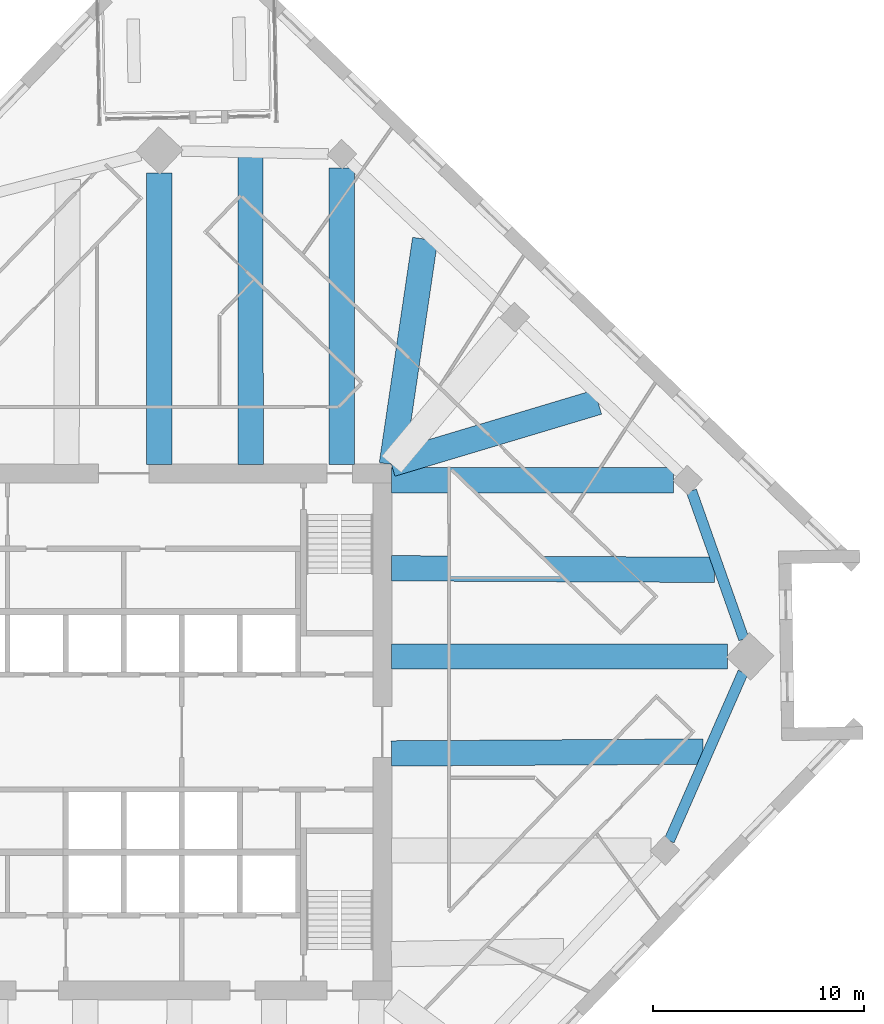
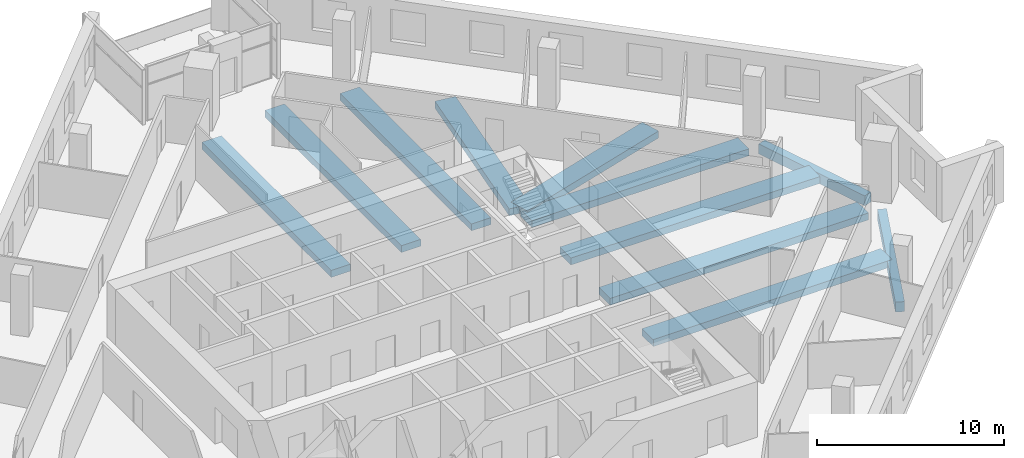
# One storey, part 3 of 13: 11 beams.
"""IFC4 building model written with IfcOpenShell, lengths in metres."""

import ifcopenshell
import ifcopenshell.guid

model = None  # the IFC model being written
_history = None  # IfcOwnerHistory: only IFC2X3 demands one
_inside = {}  # id of a spatial element -> (the spatial element, [elements in it])
_under = {}  # id of a project, library or spatial element -> (it, [spatial elements below it])
_declared = {}  # id of a project -> (the project, [libraries it declares])
_typed = {}  # id of a type object -> (the type object, [elements of that type])
_made_of = {}  # id of a material, layer set ... -> (it, [elements and type objects made of it])


def new_model(schema):
    """Start an empty IFC model of exactly this schema.

    Asked for "IFC4X3", IfcOpenShell would pick the latest addendum, in which some entities
    have other attributes; the version numbers below select the first issue.
    IFC2X3 requires an IfcOwnerHistory on every rooted entity: one is made here for all.
    """
    global model, _history
    if schema == "IFC4X3":
        model = ifcopenshell.file(schema_version=(4, 3, 0, 0))
    else:
        model = ifcopenshell.file(schema=schema)
    _inside.clear()
    _under.clear()
    _declared.clear()
    _typed.clear()
    _made_of.clear()
    _history = None
    if model.schema == "IFC2X3":
        org = make("IfcOrganization", Name="unknown")
        user = make(
            "IfcPersonAndOrganization",
            ThePerson=make("IfcPerson", FamilyName="unknown"),
            TheOrganization=org,
        )
        app = make(
            "IfcApplication",
            ApplicationDeveloper=org,
            Version="unknown",
            ApplicationFullName="unknown",
            ApplicationIdentifier="unknown",
        )
        _history = make(
            "IfcOwnerHistory",
            OwningUser=user,
            OwningApplication=app,
            ChangeAction="ADDED",
            CreationDate=0,
        )
    return model


def make(cls, **values):
    """One entity of the class cls with the attributes given. An attribute that is None is left unset."""
    return model.create_entity(
        cls, **{name: value for name, value in values.items() if value is not None}
    )


def rooted(cls, **values):
    """An entity with a GlobalId (a new one), such as an element, a storey or a relation."""
    return make(cls, GlobalId=ifcopenshell.guid.new(), OwnerHistory=_history, **values)


def si_unit(unit_type, name, prefix=None):
    """IfcSIUnit, for example si_unit("LENGTHUNIT", "METRE", prefix="MILLI")."""
    return make("IfcSIUnit", UnitType=unit_type, Prefix=prefix, Name=name)


def assignment(units):
    """IfcUnitAssignment: the units of a project."""
    return None if units is None else make("IfcUnitAssignment", Units=units)


def point(xyz):
    """IfcCartesianPoint."""
    return None if xyz is None else make("IfcCartesianPoint", Coordinates=xyz)


def direction(xyz):
    """IfcDirection."""
    return None if xyz is None else make("IfcDirection", DirectionRatios=xyz)


def frame(location, z_axis=None, x_axis=None):
    """IfcAxis2Placement3D, a coordinate frame: its origin and axes. An axis left out is left unset."""
    return make(
        "IfcAxis2Placement3D",
        Location=point(location),
        Axis=direction(z_axis),
        RefDirection=direction(x_axis),
    )


def frame_2d(location, x_axis=None):
    """IfcAxis2Placement2D, a coordinate frame in the plane: its origin and x axis."""
    return make(
        "IfcAxis2Placement2D", Location=point(location), RefDirection=direction(x_axis)
    )


def origin():
    """The frame at (0, 0, 0) with its axes left unset."""
    return frame((0.0, 0.0, 0.0))


def origin_2d():
    """The frame at (0, 0) in the plane with its x axis left unset."""
    return frame_2d((0.0, 0.0))


def place(relative_to, where):
    """IfcLocalPlacement: puts the frame where relative to a parent placement (None: the world)."""
    return make(
        "IfcLocalPlacement", PlacementRelTo=relative_to, RelativePlacement=where
    )


def context(
    kind, dimensions, precision=None, world=None, true_north=None, identifier=None
):
    """IfcGeometricRepresentationContext, for example the 3D "Model" context."""
    return make(
        "IfcGeometricRepresentationContext",
        ContextIdentifier=identifier,
        ContextType=kind,
        CoordinateSpaceDimension=dimensions,
        Precision=precision,
        WorldCoordinateSystem=world,
        TrueNorth=true_north,
    )


def subcontext(parent, identifier, kind, view, scale=None):
    """IfcGeometricRepresentationSubContext, for example "Body" below "Model"."""
    return make(
        "IfcGeometricRepresentationSubContext",
        ContextIdentifier=identifier,
        ContextType=kind,
        ParentContext=parent,
        TargetScale=scale,
        TargetView=view,
    )


def project(units=None, contexts=None):
    """IfcProject with its units and contexts."""
    return rooted(
        "IfcProject",
        Name="project",
        RepresentationContexts=contexts,
        UnitsInContext=assignment(units),
    )


def spatial(cls, under=None, at=None, **own):
    """A site, building, storey or space (cls), placed at a placement, below another one or the project."""
    s = rooted(cls, ObjectPlacement=at, **own)
    if under is not None:
        _under.setdefault(under.id(), (under, []))[1].append(s)
    return s


def profile(cls, at=None, kind="AREA", **sizes):
    """A parametric profile (cls). Its sizes go by their IFC names, for example OverallWidth=200.0."""
    return make(cls, ProfileType=kind, Position=at, **sizes)


def rectangle(**sizes):
    """IfcRectangleProfileDef."""
    return profile("IfcRectangleProfileDef", **sizes)


def extrude(swept, where, along, depth):
    """IfcExtrudedAreaSolid: the profile swept, set in the frame where, extruded along a direction by depth."""
    return make(
        "IfcExtrudedAreaSolid",
        SweptArea=swept,
        Position=where,
        ExtrudedDirection=direction(along),
        Depth=depth,
    )


def shape(context_of_items, identifier, shape_type, items):
    """IfcShapeRepresentation: the items that make up one representation, for example the "Body"."""
    return make(
        "IfcShapeRepresentation",
        ContextOfItems=context_of_items,
        RepresentationIdentifier=identifier,
        RepresentationType=shape_type,
        Items=items,
    )


def material(Name=None, Category=None):
    """IfcMaterial."""
    return make("IfcMaterial", Name=Name, Category=Category)


def material_profile(
    of_material, cross_section, Name=None, Category=None, Priority=None
):
    """IfcMaterialProfile: a cross section and its material."""
    return make(
        "IfcMaterialProfile",
        Name=Name,
        Material=of_material,
        Profile=cross_section,
        Priority=Priority,
        Category=Category,
    )


def profile_set(profiles, Name=None, composite=None):
    """IfcMaterialProfileSet."""
    return make(
        "IfcMaterialProfileSet",
        Name=Name,
        MaterialProfiles=profiles,
        CompositeProfile=composite,
    )


def made_of(thing, what):
    """Note that an element or type object is made of a material, layer set ...; save() writes the relation."""
    if what is not None:
        _made_of.setdefault(what.id(), (what, []))[1].append(thing)
    return thing


def type_object(cls, material=None, **own):
    """A type object (cls), such as IfcWallType, which elements share."""
    return made_of(rooted(cls, **own), material)


def element(
    cls,
    number,
    at=None,
    inside=None,
    cuts=None,
    type_object=None,
    material=None,
    context=None,
    identifier="Body",
    shape_type=None,
    held_by="IfcProductDefinitionShape",
    body=None,
    shapes=None,
    **own,
):
    """One element of the class cls, such as IfcWall. Its Tag is "e" and its number.

    at: its placement. inside: the storey or other place that contains it. cuts: it is an
    opening in that element (IfcRelVoidsElement). A single representation is given by context,
    identifier, shape_type and body (its items); several are given by shapes. held_by: the class
    of the entity that holds the representations. save() writes the other relations.
    """
    e = rooted(cls, Tag="e%d" % number, ObjectPlacement=at, **own)
    if body is not None:
        shapes = [shape(context, identifier, shape_type, body)]
    if shapes is not None:
        e.Representation = make(held_by, Representations=shapes)
    if inside is not None:
        _inside.setdefault(inside.id(), (inside, []))[1].append(e)
    if cuts is not None:
        rooted(
            "IfcRelVoidsElement", RelatingBuildingElement=cuts, RelatedOpeningElement=e
        )
    if type_object is not None:
        _typed.setdefault(type_object.id(), (type_object, []))[1].append(e)
    return made_of(e, material)


def aggregate(whole, parts):
    """IfcRelAggregates: a whole, such as a stair, and the parts it consists of."""
    return rooted("IfcRelAggregates", RelatingObject=whole, RelatedObjects=parts)


def save(model, path):
    """Write the relations noted so far, then the file.

    IfcRelAggregates (storeys below a building ...), IfcRelContainedInSpatialStructure (elements
    in a storey), IfcRelDefinesByType, IfcRelAssociatesMaterial and IfcRelDeclares: one each for
    every whole, place, type object, material and project.
    """
    for whole, parts in _under.values():
        aggregate(whole, parts)
    for where, things in _inside.values():
        rooted(
            "IfcRelContainedInSpatialStructure",
            RelatedElements=things,
            RelatingStructure=where,
        )
    for kind, things in _typed.values():
        rooted("IfcRelDefinesByType", RelatedObjects=things, RelatingType=kind)
    for what, things in _made_of.values():
        rooted("IfcRelAssociatesMaterial", RelatedObjects=things, RelatingMaterial=what)
    for by, libraries in _declared.values():
        rooted("IfcRelDeclares", RelatingContext=by, RelatedDefinitions=libraries)
    model.write(path)


model = new_model("IFC4")

# Units and contexts
model_context = context("Model", 3, precision=1e-05, world=origin(), true_north=direction((0.0, 1.0)))
body_context = subcontext(model_context, "Body", "Model", "MODEL_VIEW")
ifc_project = project(units=[si_unit("LENGTHUNIT", "METRE"), si_unit("AREAUNIT", "SQUARE_METRE"), si_unit("VOLUMEUNIT", "CUBIC_METRE"), si_unit("PLANEANGLEUNIT", "RADIAN"), si_unit("MASSUNIT", "GRAM", prefix="KILO")], contexts=[model_context])

# Site, building, storey
site_placement = place(None, origin())
site = spatial("IfcSite", under=ifc_project, at=site_placement, CompositionType="ELEMENT")
building_placement = place(site_placement, origin())
building = spatial("IfcBuilding", under=site, at=building_placement, Name="Dilmun Exchange Tower", CompositionType="ELEMENT")
storey_placement = place(building_placement, frame((0.0, 0.0, 205.300048828125)))
storey = spatial("IfcBuildingStorey", under=building, at=storey_placement, Name="L48", CompositionType="ELEMENT", Elevation=205.300048828125)

# Beams
ifc_material = material(Name="Concrete C40/50", Category="concrete")
ifc_material_profile_1 = material_profile(ifc_material, rectangle(XDim=1.199951171875, YDim=0.449951171875, at=origin_2d()), Name="1200 x 450")
ifc_profile_set_1 = profile_set([ifc_material_profile_1], Name="Concrete C40/50")
beam_type_1 = type_object("IfcBeamType", Name="RC band beam 1200 x 450 C40/50", PredefinedType="BEAM", material=ifc_profile_set_1)
beam_1_placement = place(storey_placement, frame((1.68505859375, 26.465576171875, -0.705078125), z_axis=(0.0, -1.0, 0.0), x_axis=(1.0, 0.0, 0.0)))
element("IfcBeam", 1, at=beam_1_placement, inside=storey, type_object=beam_type_1, Name="Band beam 1", PredefinedType="BEAM", context=body_context, shape_type="SweptSolid", body=[
    extrude(rectangle(XDim=1.199951171875, YDim=0.449951171875, at=origin_2d()), origin(), (0.0, 0.0, 1.0), 13.79248046875),
])
beam_2_placement = place(storey_placement, frame((28.586669921875, 3.58203125, -0.705078125), z_axis=(-1.0, 0.0, 0.0), x_axis=(0.0, -1.0, 0.0)))
element("IfcBeam", 2, at=beam_2_placement, inside=storey, type_object=beam_type_1, Name="Band beam 13", PredefinedType="BEAM", context=body_context, shape_type="SweptSolid", body=[
    extrude(rectangle(XDim=1.199951171875, YDim=0.449951171875, at=origin_2d()), origin(), (0.0, 0.0, 1.0), 15.91357421875),
])
beam_3_placement = place(storey_placement, frame((26.0458984375, 11.930908203125, -0.705078125), z_axis=(-1.0, 0.0, 0.0), x_axis=(0.0, -1.0, 0.0)))
element("IfcBeam", 3, at=beam_3_placement, inside=storey, type_object=beam_type_1, Name="Band beam 14", PredefinedType="BEAM", context=body_context, shape_type="SweptSolid", body=[
    extrude(rectangle(XDim=1.199951171875, YDim=0.449951171875, at=origin_2d()), origin(), (0.0, 0.0, 1.0), 13.372802734375),
])
beam_4_placement = place(storey_placement, frame((10.3330078125, 26.703857421875, -0.705078125), z_axis=(0.0, -1.0, 0.0), x_axis=(1.0, 0.0, 0.0)))
element("IfcBeam", 4, at=beam_4_placement, inside=storey, type_object=beam_type_1, Name="Band beam 16", PredefinedType="BEAM", context=body_context, shape_type="SweptSolid", body=[
    extrude(rectangle(XDim=1.199951171875, YDim=0.449951171875, at=origin_2d()), origin(), (0.0, 0.0, 1.0), 14.03076171875),
])
beam_5_placement = place(storey_placement, frame((27.441650390625, -0.924072265625, -0.60498046875), z_axis=(-0.999981696912, -0.006050276087, 0.0), x_axis=(0.006050276087, -0.999981696912, 0.0)))
element("IfcBeam", 5, at=beam_5_placement, inside=storey, type_object=beam_type_1, Name="Band beam 28", PredefinedType="BEAM", context=body_context, shape_type="SweptSolid", body=[
    extrude(rectangle(XDim=1.199951171875, YDim=0.449951171875, at=origin_2d()), origin(), (0.0, 0.0, 1.0), 14.768798828125),
])
beam_6_placement = place(storey_placement, frame((27.972412109375, 7.68212890625, -0.60498046875), z_axis=(-0.99998815601, 0.004867015408, 0.0), x_axis=(-0.004867015408, -0.99998815601, 0.0)))
element("IfcBeam", 6, at=beam_6_placement, inside=storey, type_object=beam_type_1, Name="Band beam 29", PredefinedType="BEAM", context=body_context, shape_type="SweptSolid", body=[
    extrude(rectangle(XDim=1.199951171875, YDim=0.449951171875, at=origin_2d()), origin(), (0.0, 0.0, 1.0), 15.299560546875),
])
beam_7_placement = place(storey_placement, frame((22.4599609375, 15.626708984375, -0.60498046875), z_axis=(-0.957849959988, -0.287268957862, 0.0), x_axis=(0.287268957862, -0.957849959988, 0.0)))
element("IfcBeam", 7, at=beam_7_placement, inside=storey, type_object=beam_type_1, Name="Band beam 30", PredefinedType="BEAM", context=body_context, shape_type="SweptSolid", body=[
    extrude(rectangle(XDim=1.199951171875, YDim=0.449951171875, at=origin_2d()), origin(), (0.0, 0.0, 1.0), 10.21630859375),
])
beam_8_placement = place(storey_placement, frame((14.2734375, 23.34326171875, -0.60498046875), z_axis=(-0.146268101323, -0.989244986106, 0.0), x_axis=(0.989244986106, -0.146268101323, 0.0)))
element("IfcBeam", 8, at=beam_8_placement, inside=storey, type_object=beam_type_1, Name="Band beam 31", PredefinedType="BEAM", context=body_context, shape_type="SweptSolid", body=[
    extrude(rectangle(XDim=1.199951171875, YDim=0.449951171875, at=origin_2d()), origin(), (0.0, 0.0, 1.0), 10.785888671875),
])
beam_9_placement = place(storey_placement, frame((6.00439453125, 27.22802734375, -0.60498046875), z_axis=(0.000318701025, -0.999999949215, 0.0), x_axis=(0.999999949215, 0.000318701025, 0.0)))
element("IfcBeam", 9, at=beam_9_placement, inside=storey, type_object=beam_type_1, Name="Band beam 32", PredefinedType="BEAM", context=body_context, shape_type="SweptSolid", body=[
    extrude(rectangle(XDim=1.199951171875, YDim=0.449951171875, at=origin_2d()), origin(), (0.0, 0.0, 1.0), 14.554931640625),
])
ifc_material_profile_2 = material_profile(ifc_material, rectangle(XDim=0.5, YDim=0.64990234375, at=origin_2d()), Name="500 x 650")
ifc_profile_set_2 = profile_set([ifc_material_profile_2], Name="Concrete C40/50")
beam_type_2 = type_object("IfcBeamType", Name="RC ring beam 500 x 650 C40/50", PredefinedType="SPANDREL", material=ifc_profile_set_2)
beam_10_placement = place(storey_placement, frame((25.835205078125, -5.1474609375, -0.705078125), z_axis=(0.401239440722, 0.915973204416, 0.0), x_axis=(-0.915973204416, 0.401239440722, 0.0)))
element("IfcBeam", 10, at=beam_10_placement, inside=storey, type_object=beam_type_2, Name="Ring beam 12", PredefinedType="SPANDREL", context=body_context, shape_type="SweptSolid", body=[
    extrude(rectangle(XDim=0.5, YDim=0.64990234375, at=origin_2d()), origin(), (0.0, 0.0, 1.0), 8.707763671875),
])
beam_11_placement = place(storey_placement, frame((29.367919921875, 4.404541015625, -0.705078125), z_axis=(-0.333423578623, 0.942777130195, 0.0), x_axis=(-0.942777130195, -0.333423578623, 0.0)))
element("IfcBeam", 11, at=beam_11_placement, inside=storey, type_object=beam_type_2, Name="Ring beam 13", PredefinedType="SPANDREL", context=body_context, shape_type="SweptSolid", body=[
    extrude(rectangle(XDim=0.5, YDim=0.64990234375, at=origin_2d()), origin(), (0.0, 0.0, 1.0), 7.4482421875),
])

save(model, "model.ifc")
